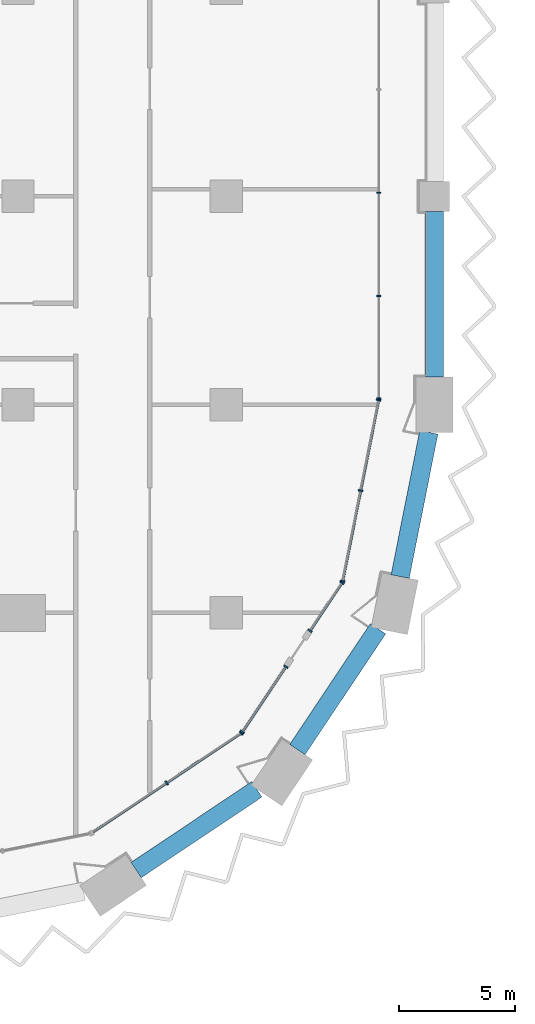
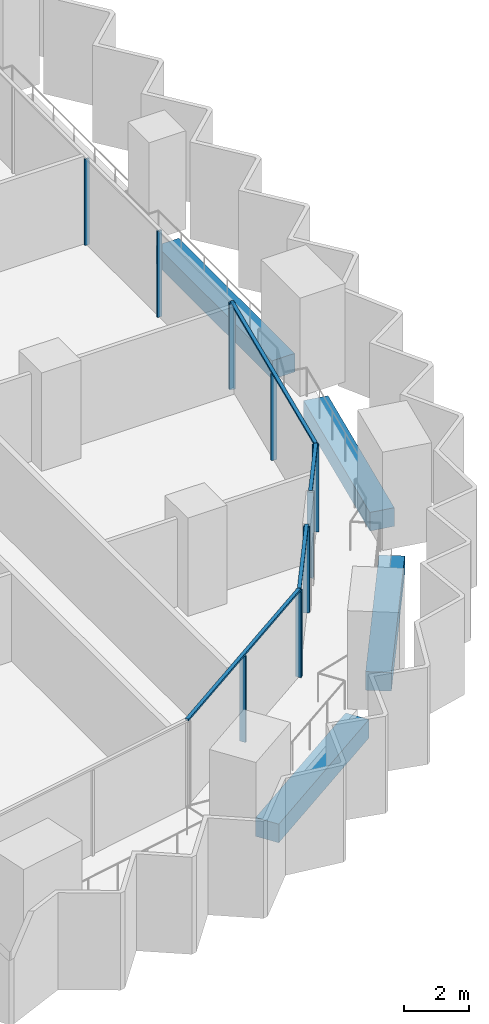
# One storey, part 3 of 29: 16 members, 4 beams, 5 elements without a shape of their own.
"""IFC4 building model written with IfcOpenShell, lengths in metres."""

import ifcopenshell
import ifcopenshell.guid

model = None  # the IFC model being written
_history = None  # IfcOwnerHistory: only IFC2X3 demands one
_inside = {}  # id of a spatial element -> (the spatial element, [elements in it])
_under = {}  # id of a project, library or spatial element -> (it, [spatial elements below it])
_declared = {}  # id of a project -> (the project, [libraries it declares])
_typed = {}  # id of a type object -> (the type object, [elements of that type])
_made_of = {}  # id of a material, layer set ... -> (it, [elements and type objects made of it])


def new_model(schema):
    """Start an empty IFC model of exactly this schema.

    Asked for "IFC4X3", IfcOpenShell would pick the latest addendum, in which some entities
    have other attributes; the version numbers below select the first issue.
    IFC2X3 requires an IfcOwnerHistory on every rooted entity: one is made here for all.
    """
    global model, _history
    if schema == "IFC4X3":
        model = ifcopenshell.file(schema_version=(4, 3, 0, 0))
    else:
        model = ifcopenshell.file(schema=schema)
    _inside.clear()
    _under.clear()
    _declared.clear()
    _typed.clear()
    _made_of.clear()
    _history = None
    if model.schema == "IFC2X3":
        org = make("IfcOrganization", Name="unknown")
        user = make(
            "IfcPersonAndOrganization",
            ThePerson=make("IfcPerson", FamilyName="unknown"),
            TheOrganization=org,
        )
        app = make(
            "IfcApplication",
            ApplicationDeveloper=org,
            Version="unknown",
            ApplicationFullName="unknown",
            ApplicationIdentifier="unknown",
        )
        _history = make(
            "IfcOwnerHistory",
            OwningUser=user,
            OwningApplication=app,
            ChangeAction="ADDED",
            CreationDate=0,
        )
    return model


def make(cls, **values):
    """One entity of the class cls with the attributes given. An attribute that is None is left unset."""
    return model.create_entity(
        cls, **{name: value for name, value in values.items() if value is not None}
    )


def rooted(cls, **values):
    """An entity with a GlobalId (a new one), such as an element, a storey or a relation."""
    return make(cls, GlobalId=ifcopenshell.guid.new(), OwnerHistory=_history, **values)


def si_unit(unit_type, name, prefix=None):
    """IfcSIUnit, for example si_unit("LENGTHUNIT", "METRE", prefix="MILLI")."""
    return make("IfcSIUnit", UnitType=unit_type, Prefix=prefix, Name=name)


def assignment(units):
    """IfcUnitAssignment: the units of a project."""
    return None if units is None else make("IfcUnitAssignment", Units=units)


def point(xyz):
    """IfcCartesianPoint."""
    return None if xyz is None else make("IfcCartesianPoint", Coordinates=xyz)


def direction(xyz):
    """IfcDirection."""
    return None if xyz is None else make("IfcDirection", DirectionRatios=xyz)


def frame(location, z_axis=None, x_axis=None):
    """IfcAxis2Placement3D, a coordinate frame: its origin and axes. An axis left out is left unset."""
    return make(
        "IfcAxis2Placement3D",
        Location=point(location),
        Axis=direction(z_axis),
        RefDirection=direction(x_axis),
    )


def frame_2d(location, x_axis=None):
    """IfcAxis2Placement2D, a coordinate frame in the plane: its origin and x axis."""
    return make(
        "IfcAxis2Placement2D", Location=point(location), RefDirection=direction(x_axis)
    )


def origin():
    """The frame at (0, 0, 0) with its axes left unset."""
    return frame((0.0, 0.0, 0.0))


def origin_2d():
    """The frame at (0, 0) in the plane with its x axis left unset."""
    return frame_2d((0.0, 0.0))


def place(relative_to, where):
    """IfcLocalPlacement: puts the frame where relative to a parent placement (None: the world)."""
    return make(
        "IfcLocalPlacement", PlacementRelTo=relative_to, RelativePlacement=where
    )


def context(
    kind, dimensions, precision=None, world=None, true_north=None, identifier=None
):
    """IfcGeometricRepresentationContext, for example the 3D "Model" context."""
    return make(
        "IfcGeometricRepresentationContext",
        ContextIdentifier=identifier,
        ContextType=kind,
        CoordinateSpaceDimension=dimensions,
        Precision=precision,
        WorldCoordinateSystem=world,
        TrueNorth=true_north,
    )


def subcontext(parent, identifier, kind, view, scale=None):
    """IfcGeometricRepresentationSubContext, for example "Body" below "Model"."""
    return make(
        "IfcGeometricRepresentationSubContext",
        ContextIdentifier=identifier,
        ContextType=kind,
        ParentContext=parent,
        TargetScale=scale,
        TargetView=view,
    )


def project(units=None, contexts=None):
    """IfcProject with its units and contexts."""
    return rooted(
        "IfcProject",
        Name="project",
        RepresentationContexts=contexts,
        UnitsInContext=assignment(units),
    )


def spatial(cls, under=None, at=None, **own):
    """A site, building, storey or space (cls), placed at a placement, below another one or the project."""
    s = rooted(cls, ObjectPlacement=at, **own)
    if under is not None:
        _under.setdefault(under.id(), (under, []))[1].append(s)
    return s


def profile(cls, at=None, kind="AREA", **sizes):
    """A parametric profile (cls). Its sizes go by their IFC names, for example OverallWidth=200.0."""
    return make(cls, ProfileType=kind, Position=at, **sizes)


def rectangle(**sizes):
    """IfcRectangleProfileDef."""
    return profile("IfcRectangleProfileDef", **sizes)


def extrude(swept, where, along, depth):
    """IfcExtrudedAreaSolid: the profile swept, set in the frame where, extruded along a direction by depth."""
    return make(
        "IfcExtrudedAreaSolid",
        SweptArea=swept,
        Position=where,
        ExtrudedDirection=direction(along),
        Depth=depth,
    )


def shape(context_of_items, identifier, shape_type, items):
    """IfcShapeRepresentation: the items that make up one representation, for example the "Body"."""
    return make(
        "IfcShapeRepresentation",
        ContextOfItems=context_of_items,
        RepresentationIdentifier=identifier,
        RepresentationType=shape_type,
        Items=items,
    )


def material(Name=None, Category=None):
    """IfcMaterial."""
    return make("IfcMaterial", Name=Name, Category=Category)


def material_profile(
    of_material, cross_section, Name=None, Category=None, Priority=None
):
    """IfcMaterialProfile: a cross section and its material."""
    return make(
        "IfcMaterialProfile",
        Name=Name,
        Material=of_material,
        Profile=cross_section,
        Priority=Priority,
        Category=Category,
    )


def profile_set(profiles, Name=None, composite=None):
    """IfcMaterialProfileSet."""
    return make(
        "IfcMaterialProfileSet",
        Name=Name,
        MaterialProfiles=profiles,
        CompositeProfile=composite,
    )


def made_of(thing, what):
    """Note that an element or type object is made of a material, layer set ...; save() writes the relation."""
    if what is not None:
        _made_of.setdefault(what.id(), (what, []))[1].append(thing)
    return thing


def type_object(cls, material=None, **own):
    """A type object (cls), such as IfcWallType, which elements share."""
    return made_of(rooted(cls, **own), material)


def element(
    cls,
    number,
    at=None,
    inside=None,
    cuts=None,
    type_object=None,
    material=None,
    context=None,
    identifier="Body",
    shape_type=None,
    held_by="IfcProductDefinitionShape",
    body=None,
    shapes=None,
    **own,
):
    """One element of the class cls, such as IfcWall. Its Tag is "e" and its number.

    at: its placement. inside: the storey or other place that contains it. cuts: it is an
    opening in that element (IfcRelVoidsElement). A single representation is given by context,
    identifier, shape_type and body (its items); several are given by shapes. held_by: the class
    of the entity that holds the representations. save() writes the other relations.
    """
    e = rooted(cls, Tag="e%d" % number, ObjectPlacement=at, **own)
    if body is not None:
        shapes = [shape(context, identifier, shape_type, body)]
    if shapes is not None:
        e.Representation = make(held_by, Representations=shapes)
    if inside is not None:
        _inside.setdefault(inside.id(), (inside, []))[1].append(e)
    if cuts is not None:
        rooted(
            "IfcRelVoidsElement", RelatingBuildingElement=cuts, RelatedOpeningElement=e
        )
    if type_object is not None:
        _typed.setdefault(type_object.id(), (type_object, []))[1].append(e)
    return made_of(e, material)


def aggregate(whole, parts):
    """IfcRelAggregates: a whole, such as a stair, and the parts it consists of."""
    return rooted("IfcRelAggregates", RelatingObject=whole, RelatedObjects=parts)


def save(model, path):
    """Write the relations noted so far, then the file.

    IfcRelAggregates (storeys below a building ...), IfcRelContainedInSpatialStructure (elements
    in a storey), IfcRelDefinesByType, IfcRelAssociatesMaterial and IfcRelDeclares: one each for
    every whole, place, type object, material and project.
    """
    for whole, parts in _under.values():
        aggregate(whole, parts)
    for where, things in _inside.values():
        rooted(
            "IfcRelContainedInSpatialStructure",
            RelatedElements=things,
            RelatingStructure=where,
        )
    for kind, things in _typed.values():
        rooted("IfcRelDefinesByType", RelatedObjects=things, RelatingType=kind)
    for what, things in _made_of.values():
        rooted("IfcRelAssociatesMaterial", RelatedObjects=things, RelatingMaterial=what)
    for by, libraries in _declared.values():
        rooted("IfcRelDeclares", RelatingContext=by, RelatedDefinitions=libraries)
    model.write(path)


model = new_model("IFC4")

# Units and contexts
model_context = context("Model", 3, precision=1e-05, world=origin(), true_north=direction((0.0, 1.0)))
body_context = subcontext(model_context, "Body", "Model", "MODEL_VIEW")
ifc_project = project(units=[si_unit("LENGTHUNIT", "METRE"), si_unit("AREAUNIT", "SQUARE_METRE"), si_unit("VOLUMEUNIT", "CUBIC_METRE"), si_unit("PLANEANGLEUNIT", "RADIAN"), si_unit("MASSUNIT", "GRAM", prefix="KILO")], contexts=[model_context])

# Site, building, storey
site_placement = place(None, origin())
site = spatial("IfcSite", under=ifc_project, at=site_placement, CompositionType="ELEMENT")
building_placement = place(site_placement, origin())
building = spatial("IfcBuilding", under=site, at=building_placement, Name="Hunhe Ridgeline Campus", CompositionType="ELEMENT")
storey_placement = place(building_placement, frame((0.0, 0.0, 65.39990234375)))
storey = spatial("IfcBuildingStorey", under=building, at=storey_placement, Name="L15", CompositionType="ELEMENT", Elevation=65.39990234375)

# Curtain wall, members
ifc_material_1 = material(Name="Aluminium 6063", Category="aluminium")
curtain_wall_type_1 = type_object("IfcCurtainWallType", Name="Curtain wall CW-1", PredefinedType="NOTDEFINED", material=ifc_material_1)
curtain_wall_1_placement = place(storey_placement, origin())
curtain_wall_1 = element("IfcCurtainWall", 1, at=curtain_wall_1_placement, inside=storey, type_object=curtain_wall_type_1, Name="Curtain wall 11", PredefinedType="NOTDEFINED")
ifc_material_profile_1 = material_profile(ifc_material_1, rectangle(XDim=0.159912109375, YDim=0.06005859375, at=origin_2d()))
ifc_profile_set_1 = profile_set([ifc_material_profile_1], Name="Aluminium 6063")
member_type_1 = type_object("IfcMemberType", Name="CW-1 aluminium mullion", PredefinedType="MULLION", material=ifc_profile_set_1)
member_1_placement = place(storey_placement, frame((42.59912109375, 27.266357421875, 0.0), z_axis=(0.0, 0.0, 1.0), x_axis=(-1.0, 1.8682e-07, 0.0)))
member_1 = element("IfcMember", 2, at=member_1_placement, type_object=member_type_1, Name="CW-1 mullion 1", PredefinedType="MULLION", context=body_context, shape_type="SweptSolid", body=[
    extrude(rectangle(XDim=0.159912109375, YDim=0.06005859375, at=origin_2d()), origin(), (0.0, 0.0, 1.0), 3.239990234375),
])
member_2_placement = place(storey_placement, frame((42.59912109375, 31.697021484375, 0.0), z_axis=(0.0, 0.0, 1.0), x_axis=(-1.0, 1.8682e-07, 0.0)))
member_2 = element("IfcMember", 3, at=member_2_placement, type_object=member_type_1, Name="CW-1 mullion 2", PredefinedType="MULLION", context=body_context, shape_type="SweptSolid", body=[
    extrude(rectangle(XDim=0.159912109375, YDim=0.06005859375, at=origin_2d()), origin(), (0.0, 0.0, 1.0), 3.239990234375),
])
member_3_placement = place(storey_placement, frame((42.59912109375, 36.15771484375, 0.0), z_axis=(0.0, 0.0, 1.0), x_axis=(-1.0, 1.8682e-07, 0.0)))
member_3 = element("IfcMember", 4, at=member_3_placement, type_object=member_type_1, Name="CW-1 mullion 3", PredefinedType="MULLION", context=body_context, shape_type="SweptSolid", body=[
    extrude(rectangle(XDim=0.159912109375, YDim=0.06005859375, at=origin_2d()), origin(), (0.0, 0.0, 1.0), 3.239990234375),
])
aggregate(curtain_wall_1, [member_1, member_2, member_3])

curtain_wall_type_2 = type_object("IfcCurtainWallType", Name="Curtain wall CW-5", PredefinedType="NOTDEFINED", material=ifc_material_1)
curtain_wall_2_placement = place(storey_placement, origin())
curtain_wall_2 = element("IfcCurtainWall", 5, at=curtain_wall_2_placement, inside=storey, type_object=curtain_wall_type_2, Name="Curtain wall 07", PredefinedType="NOTDEFINED")
ifc_material_profile_2 = material_profile(ifc_material_1, rectangle(XDim=0.199951171875, YDim=0.070068359375, at=origin_2d()))
ifc_profile_set_2 = profile_set([ifc_material_profile_2], Name="Aluminium 6063")
member_type_2 = type_object("IfcMemberType", Name="CW-5 aluminium mullion", PredefinedType="MULLION", material=ifc_profile_set_2)
member_4_placement = place(storey_placement, frame((33.42626953125, 10.647705078125, 0.0), z_axis=(0.0, 0.0, 1.0), x_axis=(-0.555570274596, 0.831469584522, 0.0)))
member_4 = element("IfcMember", 6, at=member_4_placement, type_object=member_type_2, Name="CW-5 mullion 2", PredefinedType="MULLION", context=body_context, shape_type="SweptSolid", body=[
    extrude(rectangle(XDim=0.199951171875, YDim=0.070068359375, at=origin_2d()), origin(), (0.0, 0.0, 1.0), 3.22998046875),
])
member_5_placement = place(storey_placement, frame((36.649658203125, 12.8017578125, 0.0), z_axis=(0.0, 0.0, 1.0), x_axis=(-0.555570274596, 0.831469584522, 0.0)))
member_5 = element("IfcMember", 7, at=member_5_placement, type_object=member_type_2, Name="CW-5 mullion 3", PredefinedType="MULLION", context=body_context, shape_type="SweptSolid", body=[
    extrude(rectangle(XDim=0.199951171875, YDim=0.070068359375, at=origin_2d()), origin(), (0.0, 0.0, 1.0), 3.22998046875),
])

curtain_wall_3_placement = place(storey_placement, origin())
curtain_wall_3 = element("IfcCurtainWall", 8, at=curtain_wall_3_placement, inside=storey, type_object=curtain_wall_type_2, Name="Curtain wall 08", PredefinedType="NOTDEFINED")
member_6_placement = place(storey_placement, frame((36.6982421875, 12.850341796875, 0.0), z_axis=(0.0, 0.0, 1.0), x_axis=(-0.831469595944, 0.555570257501, 0.0)))
member_6 = element("IfcMember", 9, at=member_6_placement, type_object=member_type_2, Name="CW-5 mullion 1", PredefinedType="MULLION", context=body_context, shape_type="SweptSolid", body=[
    extrude(rectangle(XDim=0.199951171875, YDim=0.070068359375, at=origin_2d()), origin(), (0.0, 0.0, 1.0), 3.22998046875),
])
member_7_placement = place(storey_placement, frame((38.582763671875, 15.67041015625, 0.0), z_axis=(0.0, 0.0, 1.0), x_axis=(-0.831469595944, 0.555570257501, 0.0)))
member_7 = element("IfcMember", 10, at=member_7_placement, type_object=member_type_2, Name="CW-5 mullion 2", PredefinedType="MULLION", context=body_context, shape_type="SweptSolid", body=[
    extrude(rectangle(XDim=0.199951171875, YDim=0.070068359375, at=origin_2d()), origin(), (0.0, 0.0, 1.0), 3.22998046875),
])

curtain_wall_4_placement = place(storey_placement, origin())
curtain_wall_4 = element("IfcCurtainWall", 11, at=curtain_wall_4_placement, inside=storey, type_object=curtain_wall_type_2, Name="Curtain wall 09", PredefinedType="NOTDEFINED")
member_8_placement = place(storey_placement, frame((39.62158203125, 17.225341796875, 0.0), z_axis=(0.0, 0.0, 1.0), x_axis=(-0.831469510353, 0.555570385598, 0.0)))
member_8 = element("IfcMember", 12, at=member_8_placement, type_object=member_type_2, Name="CW-5 mullion 1", PredefinedType="MULLION", context=body_context, shape_type="SweptSolid", body=[
    extrude(rectangle(XDim=0.199951171875, YDim=0.070068359375, at=origin_2d()), origin(), (0.0, 0.0, 1.0), 3.22998046875),
])
member_9_placement = place(storey_placement, frame((41.006103515625, 19.29736328125, 0.0), z_axis=(0.0, 0.0, 1.0), x_axis=(-0.831469510353, 0.555570385598, 0.0)))
member_9 = element("IfcMember", 13, at=member_9_placement, type_object=member_type_2, Name="CW-5 mullion 2", PredefinedType="MULLION", context=body_context, shape_type="SweptSolid", body=[
    extrude(rectangle(XDim=0.199951171875, YDim=0.070068359375, at=origin_2d()), origin(), (0.0, 0.0, 1.0), 3.22998046875),
])

curtain_wall_5_placement = place(storey_placement, origin())
curtain_wall_5 = element("IfcCurtainWall", 14, at=curtain_wall_5_placement, inside=storey, type_object=curtain_wall_type_2, Name="Curtain wall 10", PredefinedType="NOTDEFINED")
member_10_placement = place(storey_placement, frame((41.032470703125, 19.36083984375, 0.0), z_axis=(0.0, 0.0, 1.0), x_axis=(-0.980785284939, 0.195090299215, 0.0)))
member_10 = element("IfcMember", 15, at=member_10_placement, type_object=member_type_2, Name="CW-5 mullion 1", PredefinedType="MULLION", context=body_context, shape_type="SweptSolid", body=[
    extrude(rectangle(XDim=0.199951171875, YDim=0.070068359375, at=origin_2d()), origin(), (0.0, 0.0, 1.0), 3.22998046875),
])
member_11_placement = place(storey_placement, frame((41.812255859375, 23.281494140625, 0.0), z_axis=(0.0, 0.0, 1.0), x_axis=(-0.980785284939, 0.195090299215, 0.0)))
member_11 = element("IfcMember", 16, at=member_11_placement, type_object=member_type_2, Name="CW-5 mullion 2", PredefinedType="MULLION", context=body_context, shape_type="SweptSolid", body=[
    extrude(rectangle(XDim=0.199951171875, YDim=0.070068359375, at=origin_2d()), origin(), (0.0, 0.0, 1.0), 3.22998046875),
])
member_12_placement = place(storey_placement, frame((42.59228515625, 27.2021484375, 0.0), z_axis=(0.0, 0.0, 1.0), x_axis=(-0.980785284939, 0.195090299215, 0.0)))
member_12 = element("IfcMember", 17, at=member_12_placement, type_object=member_type_2, Name="CW-5 mullion 3", PredefinedType="MULLION", context=body_context, shape_type="SweptSolid", body=[
    extrude(rectangle(XDim=0.199951171875, YDim=0.070068359375, at=origin_2d()), origin(), (0.0, 0.0, 1.0), 3.22998046875),
])

# Member
ifc_material_profile_3 = material_profile(ifc_material_1, rectangle(XDim=0.1201171875, YDim=0.070068359375, at=origin_2d()))
ifc_profile_set_3 = profile_set([ifc_material_profile_3], Name="Aluminium 6063")
member_type_3 = type_object("IfcMemberType", Name="CW-5 aluminium transom", PredefinedType="USERDEFINED", material=ifc_profile_set_3)
member_13_placement = place(storey_placement, frame((30.173583984375, 8.474365234375, 3.26513671875), z_axis=(0.831473763475, 0.5555640203, 0.0), x_axis=(-0.5555640203, 0.831473763475, 0.0)))
member_13 = element("IfcMember", 18, at=member_13_placement, type_object=member_type_3, Name="CW-5 transom 1", ObjectType="TRANSOM", PredefinedType="USERDEFINED", context=body_context, shape_type="SweptSolid", body=[
    extrude(rectangle(XDim=0.1201171875, YDim=0.070068359375, at=origin_2d()), origin(), (0.0, 0.0, 1.0), 7.823974609375),
])

aggregate(curtain_wall_2, [member_13, member_4, member_5])

member_14_placement = place(storey_placement, frame((36.678955078125, 12.821044921875, 3.26513671875), z_axis=(0.555546133463, 0.831485714606, 0.0), x_axis=(-0.831485714606, 0.555546133463, 0.0)))
member_14 = element("IfcMember", 19, at=member_14_placement, type_object=member_type_3, Name="CW-5 transom 1", ObjectType="TRANSOM", PredefinedType="USERDEFINED", context=body_context, shape_type="SweptSolid", body=[
    extrude(rectangle(XDim=0.1201171875, YDim=0.070068359375, at=origin_2d()), origin(), (0.0, 0.0, 1.0), 3.462158203125),
])

aggregate(curtain_wall_3, [member_14, member_6, member_7])

member_15_placement = place(storey_placement, frame((39.602294921875, 17.1962890625, 3.26513671875), z_axis=(0.555579547735, 0.831463388334, 0.0), x_axis=(-0.831463388334, 0.555579547735, 0.0)))
member_15 = element("IfcMember", 20, at=member_15_placement, type_object=member_type_3, Name="CW-5 transom 1", ObjectType="TRANSOM", PredefinedType="USERDEFINED", context=body_context, shape_type="SweptSolid", body=[
    extrude(rectangle(XDim=0.1201171875, YDim=0.070068359375, at=origin_2d()), origin(), (0.0, 0.0, 1.0), 2.56201171875),
])

aggregate(curtain_wall_4, [member_15, member_8, member_9])

member_16_placement = place(storey_placement, frame((41.025634765625, 19.326416015625, 3.26513671875), z_axis=(0.195097290093, 0.980783894341, 0.0), x_axis=(-0.980783894341, 0.195097290093, 0.0)))
member_16 = element("IfcMember", 21, at=member_16_placement, type_object=member_type_3, Name="CW-5 transom 1", ObjectType="TRANSOM", PredefinedType="USERDEFINED", context=body_context, shape_type="SweptSolid", body=[
    extrude(rectangle(XDim=0.1201171875, YDim=0.070068359375, at=origin_2d()), origin(), (0.0, 0.0, 1.0), 8.065185546875),
])

aggregate(curtain_wall_5, [member_16, member_10, member_11, member_12])

# Beams
ifc_material_2 = material(Name="Concrete C60", Category="concrete")
ifc_material_profile_4 = material_profile(ifc_material_2, rectangle(XDim=0.800048828125, YDim=0.699951171875, at=origin_2d()))
ifc_profile_set_4 = profile_set([ifc_material_profile_4], Name="Concrete C60")
beam_type = type_object("IfcBeamType", Name="RC spandrel beam 800x700 Concrete C60", PredefinedType="SPANDREL", material=ifc_profile_set_4)
for number, where, z_axis, x_axis, name in (
    (22, (32.108154296875, 6.87939453125, -0.599853515625), (0.831469696846, 0.555570106491, 0.0), (-0.555570106491, 0.831469696846, 0.0), "Spandrel beam B1-6 L15"),
    (23, (39.07666015625, 12.087890625, -0.599853515625), (0.555570106491, 0.831469696846, 0.0), (-0.831469696846, 0.555570106491, 0.0), "Spandrel beam B1-7 L15"),
):
    element("IfcBeam", number, at=place(storey_placement, frame(where, z_axis=z_axis, x_axis=x_axis)), inside=storey, type_object=beam_type, Name=name, PredefinedType="SPANDREL", context=body_context, shape_type="SweptSolid", body=[
        extrude(rectangle(XDim=0.800048828125, YDim=0.699951171875, at=origin_2d()), origin(), (0.0, 0.0, 1.0), 6.280029296875),
    ])
beam_1_placement = place(storey_placement, frame((43.521484375, 19.566650390625, -0.599853515625), z_axis=(0.195067021304, 0.980789914915, 0.0), x_axis=(-0.980789914915, 0.195067021304, 0.0)))
element("IfcBeam", 24, at=beam_1_placement, inside=storey, type_object=beam_type, Name="Spandrel beam B1-8 L15", PredefinedType="SPANDREL", context=body_context, shape_type="SweptSolid", body=[
    extrude(rectangle(XDim=0.800048828125, YDim=0.699951171875, at=origin_2d()), origin(), (0.0, 0.0, 1.0), 6.35546875),
])
beam_2_placement = place(storey_placement, frame((45.0, 28.199951171875, -0.599853515625), z_axis=(0.0, 1.0, 0.0), x_axis=(-1.0, 0.0, 0.0)))
element("IfcBeam", 25, at=beam_2_placement, inside=storey, type_object=beam_type, Name="Spandrel beam B1-9 L15", PredefinedType="SPANDREL", context=body_context, shape_type="SweptSolid", body=[
    extrude(rectangle(XDim=0.800048828125, YDim=0.699951171875, at=origin_2d()), origin(), (0.0, 0.0, 1.0), 7.150146484375),
])

save(model, "model.ifc")
